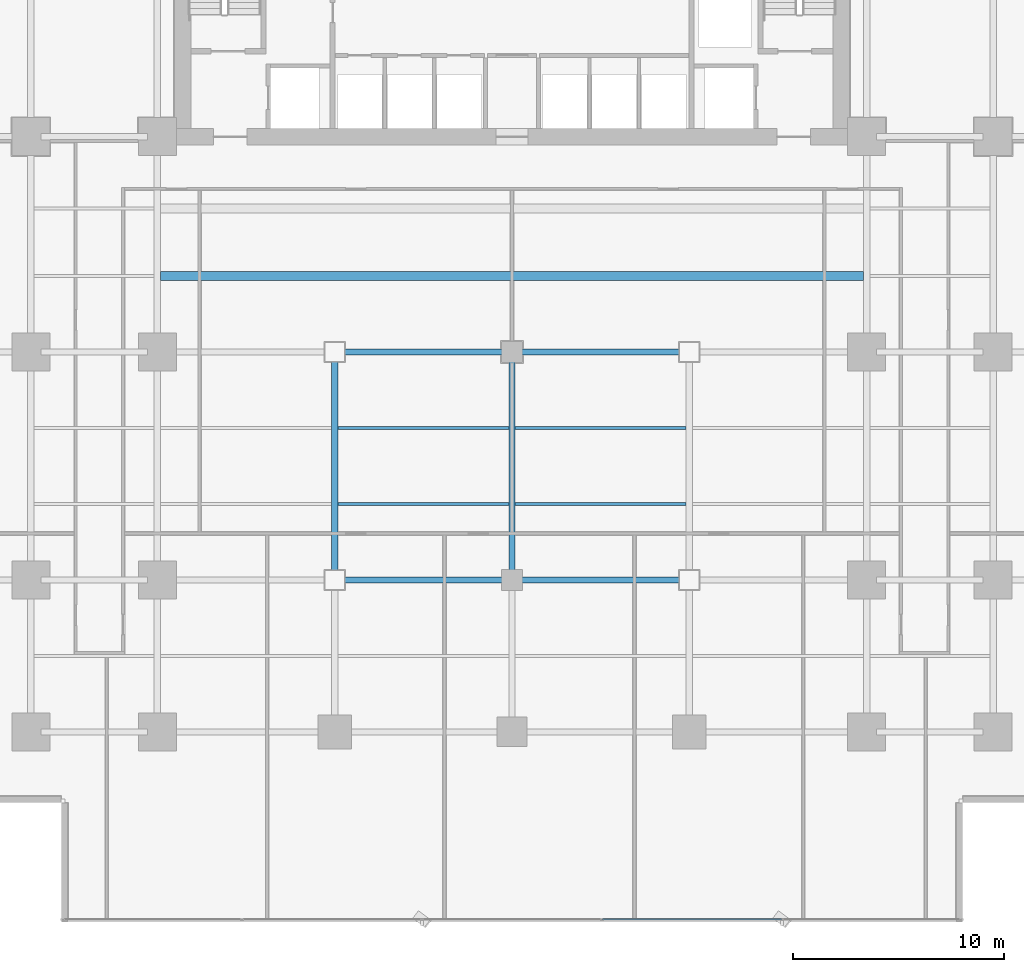
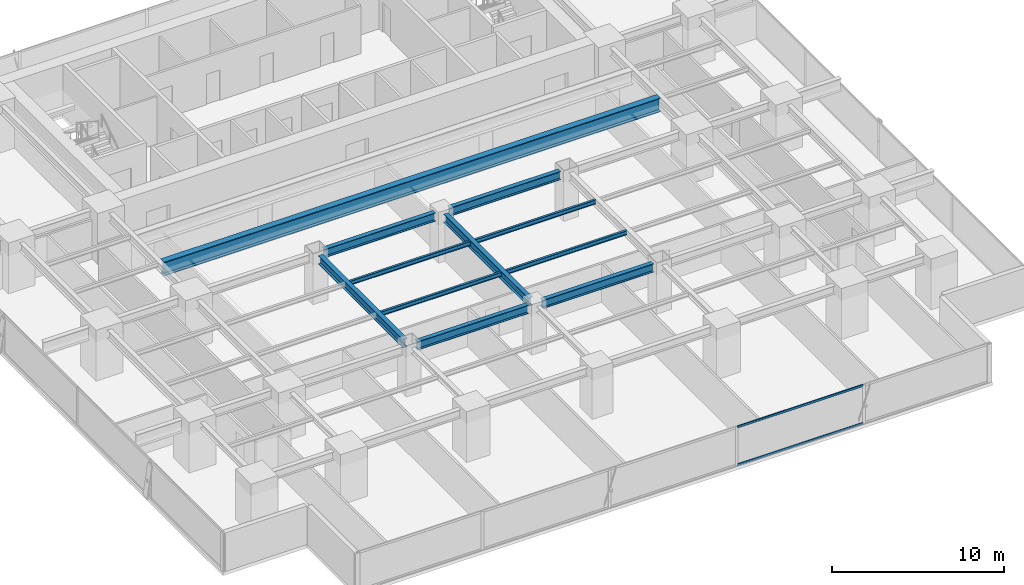
# One storey, part 10 of 34: 11 beams, 2 members, 1 element without a shape of its own.
"""IFC4 building model written with IfcOpenShell, lengths in metres."""

from ifc_helpers import new_model, si_unit, direction, frame, origin, origin_2d, place, context, subcontext, project, spatial, hollow_rectangle, i_section, extrude, source, transform, mapped, material, layer, layer_set, material_profile, profile_set, type_object, element, aggregate, save


model = new_model("IFC4")

# Units and contexts
model_context = context("Model", 3, precision=1e-05, world=origin(), true_north=direction((0.0, 1.0)))
body_context = subcontext(model_context, "Body", "Model", "MODEL_VIEW")
ifc_project = project(units=[si_unit("LENGTHUNIT", "METRE"), si_unit("AREAUNIT", "SQUARE_METRE"), si_unit("VOLUMEUNIT", "CUBIC_METRE"), si_unit("PLANEANGLEUNIT", "RADIAN"), si_unit("MASSUNIT", "GRAM", prefix="KILO")], contexts=[model_context])

# Site, building, storey
site_placement = place(None, origin())
site = spatial("IfcSite", under=ifc_project, at=site_placement, CompositionType="ELEMENT")
building_placement = place(site_placement, origin())
building = spatial("IfcBuilding", under=site, at=building_placement, Name="Sumidabori Civic Tower", CompositionType="ELEMENT")
storey_placement = place(building_placement, frame((0.0, 0.0, 34.39990234375)))
storey = spatial("IfcBuildingStorey", under=building, at=storey_placement, Name="L08", CompositionType="ELEMENT", Elevation=34.39990234375)

# Beams
ifc_material_1 = material(Name="Steel SN490", Category="steel")
ifc_material_profile_1 = material_profile(ifc_material_1, i_section(OverallWidth=0.300048828125, OverallDepth=0.60009765625, WebThickness=0.015380859375, FlangeThickness=0.030029296875, at=origin_2d()), Name="HE 600 B")
ifc_profile_set_1 = profile_set([ifc_material_profile_1], Name="Steel SN490")
beam_type_1 = type_object("IfcBeamType", Name="BM-GIRD-600", PredefinedType="BEAM", material=ifc_profile_set_1)
shared_shape_1 = source(origin(), body_context, "Body", "SweptSolid", [
    extrude(i_section(OverallWidth=0.300048828125, OverallDepth=0.60009765625, WebThickness=0.015380859375, FlangeThickness=0.030029296875, at=origin_2d()), origin(), (0.0, 0.0, 1.0), 7.43994140625),
])
for number, where, z_axis, x_axis, name in (
    (1, (-7.919921875, -10.800048828125, 3.06005859375), (1.0, 0.0, 0.0), (0.0, 1.0, 0.0), "Primary Girder L08 GX-09"),
    (2, (0.47998046875, -10.800048828125, 3.06005859375), (1.0, 0.0, 0.0), (0.0, 1.0, 0.0), "Primary Girder L08 GX-10"),
    (3, (-7.919921875, 0.0, 3.06005859375), (1.0, 0.0, 0.0), (0.0, 1.0, 0.0), "Primary Girder L08 GX-15"),
    (4, (0.47998046875, 0.0, 3.06005859375), (1.0, 0.0, 0.0), (0.0, 1.0, 0.0), "Primary Girder L08 GX-16"),
):
    element("IfcBeam", number, at=place(storey_placement, frame(where, z_axis=z_axis, x_axis=x_axis)), inside=storey, type_object=beam_type_1, Name=name, PredefinedType="BEAM", context=body_context, shape_type="MappedRepresentation", body=[
        mapped(shared_shape_1, transform((0.0, 0.0, 0.0), x_axis=(1.0, 0.0, 0.0), y_axis=(0.0, 1.0, 0.0), z_axis=(0.0, 0.0, 1.0), scale=1.0)),
    ])
shared_shape_2 = source(origin(), body_context, "Body", "SweptSolid", [
    extrude(i_section(OverallWidth=0.300048828125, OverallDepth=0.60009765625, WebThickness=0.015380859375, FlangeThickness=0.030029296875, at=origin_2d()), origin(), (0.0, 0.0, 1.0), 9.840087890625),
])
for number, where, z_axis, x_axis, name in (
    (5, (-8.39990234375, -10.320068359375, 3.06005859375), (0.0, 1.0, 0.0), (-1.0, 0.0, 0.0), "Primary Girder L08 GY-30"),
    (6, (0.0, -10.320068359375, 3.06005859375), (0.0, 1.0, 0.0), (-1.0, 0.0, 0.0), "Primary Girder L08 GY-32"),
):
    element("IfcBeam", number, at=place(storey_placement, frame(where, z_axis=z_axis, x_axis=x_axis)), inside=storey, type_object=beam_type_1, Name=name, PredefinedType="BEAM", context=body_context, shape_type="MappedRepresentation", body=[
        mapped(shared_shape_2, transform((0.0, 0.0, 0.0), x_axis=(1.0, 0.0, 0.0), y_axis=(0.0, 1.0, 0.0), z_axis=(0.0, 0.0, 1.0), scale=1.0)),
    ])
ifc_material_2 = material(Name="Steel SM570", Category="steel")
ifc_material_profile_2 = material_profile(ifc_material_2, i_section(OverallWidth=0.427978515625, OverallDepth=0.97509765625, WebThickness=0.02392578125, FlangeThickness=0.04296875, at=origin_2d()), Name="W36X395")
ifc_profile_set_2 = profile_set([ifc_material_profile_2], Name="Steel SM570")
beam_type_2 = type_object("IfcBeamType", Name="BM-HEAVY-W36B", PredefinedType="BEAM", material=ifc_profile_set_2)
shared_shape_3 = source(origin(), body_context, "Body", "SweptSolid", [
    extrude(i_section(OverallWidth=0.427978515625, OverallDepth=0.97509765625, WebThickness=0.02392578125, FlangeThickness=0.04296875, at=origin_2d()), origin(), (0.0, 0.0, 1.0), 33.2998046875),
])
beam_placement = place(storey_placement, frame((-16.64990234375, 3.60009765625, 2.87255859375), z_axis=(1.0, 0.0, 0.0), x_axis=(0.0, 1.0, 0.0)))
element("IfcBeam", 7, at=beam_placement, inside=storey, type_object=beam_type_2, Name="North Bay Floor Beam L08 JSTN-59", PredefinedType="BEAM", context=body_context, shape_type="MappedRepresentation", body=[
    mapped(shared_shape_3, transform((0.0, 0.0, 0.0), x_axis=(1.0, 0.0, 0.0), y_axis=(0.0, 1.0, 0.0), z_axis=(0.0, 0.0, 1.0), scale=1.0)),
])
ifc_material_profile_3 = material_profile(ifc_material_1, i_section(OverallWidth=0.14990234375, OverallDepth=0.300048828125, WebThickness=0.007080078125, FlangeThickness=0.0107421875, at=origin_2d()), Name="IPE 300")
ifc_profile_set_3 = profile_set([ifc_material_profile_3], Name="Steel SN490")
beam_type_3 = type_object("IfcBeamType", Name="BM-JST-300", PredefinedType="JOIST", material=ifc_profile_set_3)
shared_shape_4 = source(origin(), body_context, "Body", "SweptSolid", [
    extrude(i_section(OverallWidth=0.14990234375, OverallDepth=0.300048828125, WebThickness=0.007080078125, FlangeThickness=0.0107421875, at=origin_2d()), origin(), (0.0, 0.0, 1.0), 8.10009765625),
])
for number, where, z_axis, x_axis, name in (
    (8, (-8.25, -7.199951171875, 3.210205078125), (1.0, 0.0, 0.0), (0.0, 1.0, 0.0), "South Bay Floor Joist L08 JSTS-66"),
    (9, (0.14990234375, -7.199951171875, 3.210205078125), (1.0, 0.0, 0.0), (0.0, 1.0, 0.0), "South Bay Floor Joist L08 JSTS-67"),
    (10, (-8.25, -3.60009765625, 3.210205078125), (1.0, 0.0, 0.0), (0.0, 1.0, 0.0), "South Bay Floor Joist L08 JSTS-70"),
    (11, (0.14990234375, -3.60009765625, 3.210205078125), (1.0, 0.0, 0.0), (0.0, 1.0, 0.0), "South Bay Floor Joist L08 JSTS-71"),
):
    element("IfcBeam", number, at=place(storey_placement, frame(where, z_axis=z_axis, x_axis=x_axis)), inside=storey, type_object=beam_type_3, Name=name, PredefinedType="JOIST", context=body_context, shape_type="MappedRepresentation", body=[
        mapped(shared_shape_4, transform((0.0, 0.0, 0.0), x_axis=(1.0, 0.0, 0.0), y_axis=(0.0, 1.0, 0.0), z_axis=(0.0, 0.0, 1.0), scale=1.0)),
    ])

# Curtain wall, members
ifc_material_3 = material(Name="Anodised Bronze Aluminium AW-6063-T6", Category="aluminium")
ifc_layer = layer(ifc_material_3, 0.179931640625, Name="Anodised Bronze Aluminium AW-6063-T6")
ifc_layer_set = layer_set([ifc_layer], Name="Anodised Bronze Aluminium AW-6063-T6")
curtain_wall_type = type_object("IfcCurtainWallType", Name="CW-SYS-2", PredefinedType="NOTDEFINED", material=ifc_layer_set)
curtain_wall_placement = place(storey_placement, origin())
curtain_wall = element("IfcCurtainWall", 12, at=curtain_wall_placement, inside=storey, type_object=curtain_wall_type, Name="Curtain Wall CW:L08:R01", PredefinedType="NOTDEFINED")
ifc_material_profile_4 = material_profile(ifc_material_3, hollow_rectangle(XDim=0.06494140625, YDim=0.14990234375, WallThickness=0.0048828125, at=origin_2d()), Name="ALU TRANSOM 150x65")
ifc_profile_set_4 = profile_set([ifc_material_profile_4], Name="Anodised Bronze Aluminium AW-6063-T6")
member_type = type_object("IfcMemberType", Name="CW-TRN-150", PredefinedType="USERDEFINED", material=ifc_profile_set_4)
shared_shape_5 = source(origin(), body_context, "Body", "SweptSolid", [
    extrude(hollow_rectangle(XDim=0.06494140625, YDim=0.14990234375, WallThickness=0.0048828125, at=origin_2d()), origin(), (0.0, 0.0, 1.0), 8.4580078125),
])
member_1_placement = place(storey_placement, frame((4.299072265625, -26.8798828125, 0.03271484375), z_axis=(1.0, 0.0, 0.0), x_axis=(0.0, 1.0, 0.0)))
member_1 = element("IfcMember", 13, at=member_1_placement, type_object=member_type, Name="CW-2 transom 4.1", ObjectType="TRANSOM", PredefinedType="USERDEFINED", context=body_context, shape_type="MappedRepresentation", body=[
    mapped(shared_shape_5, transform((0.0, 0.0, 0.0), x_axis=(1.0, 0.0, 0.0), y_axis=(0.0, 1.0, 0.0), z_axis=(0.0, 0.0, 1.0), scale=1.0)),
])
member_2_placement = place(storey_placement, frame((4.299072265625, -26.8798828125, 2.70751953125), z_axis=(1.0, 0.0, 0.0), x_axis=(0.0, 1.0, 0.0)))
member_2 = element("IfcMember", 14, at=member_2_placement, type_object=member_type, Name="CW-2 transom 4.2", ObjectType="TRANSOM", PredefinedType="USERDEFINED", context=body_context, shape_type="MappedRepresentation", body=[
    mapped(shared_shape_5, transform((0.0, 0.0, 0.0), x_axis=(1.0, 0.0, 0.0), y_axis=(0.0, 1.0, 0.0), z_axis=(0.0, 0.0, 1.0), scale=1.0)),
])
aggregate(curtain_wall, [member_1, member_2])

save(model, "model.ifc")
